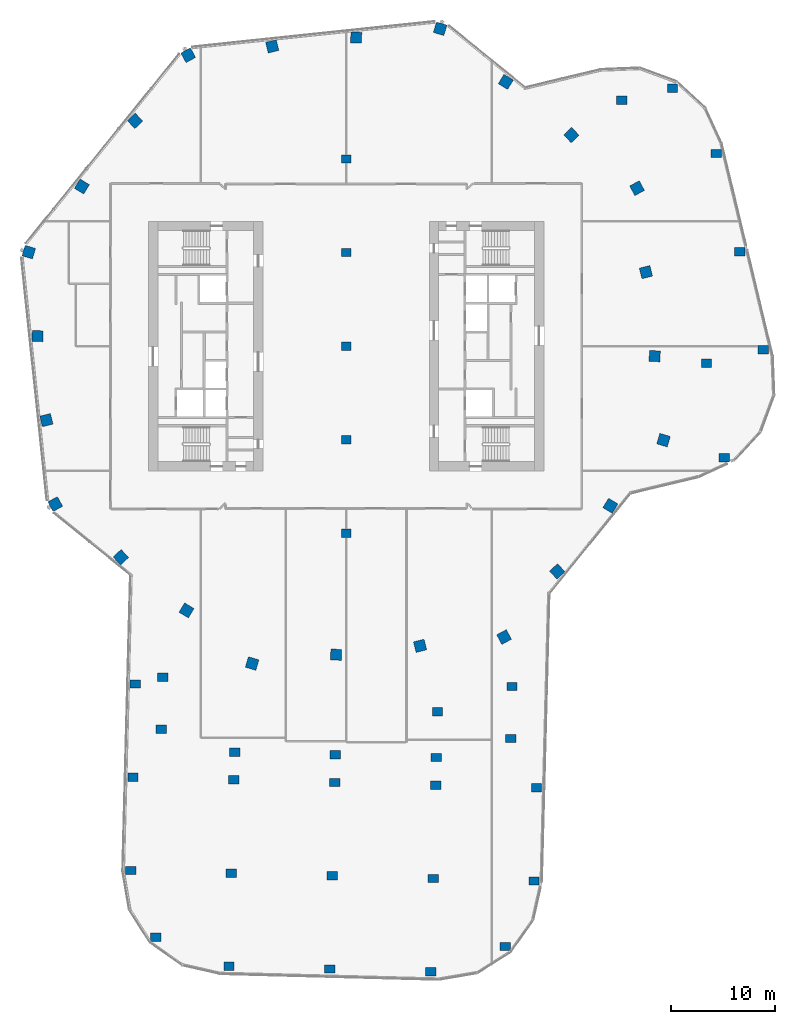
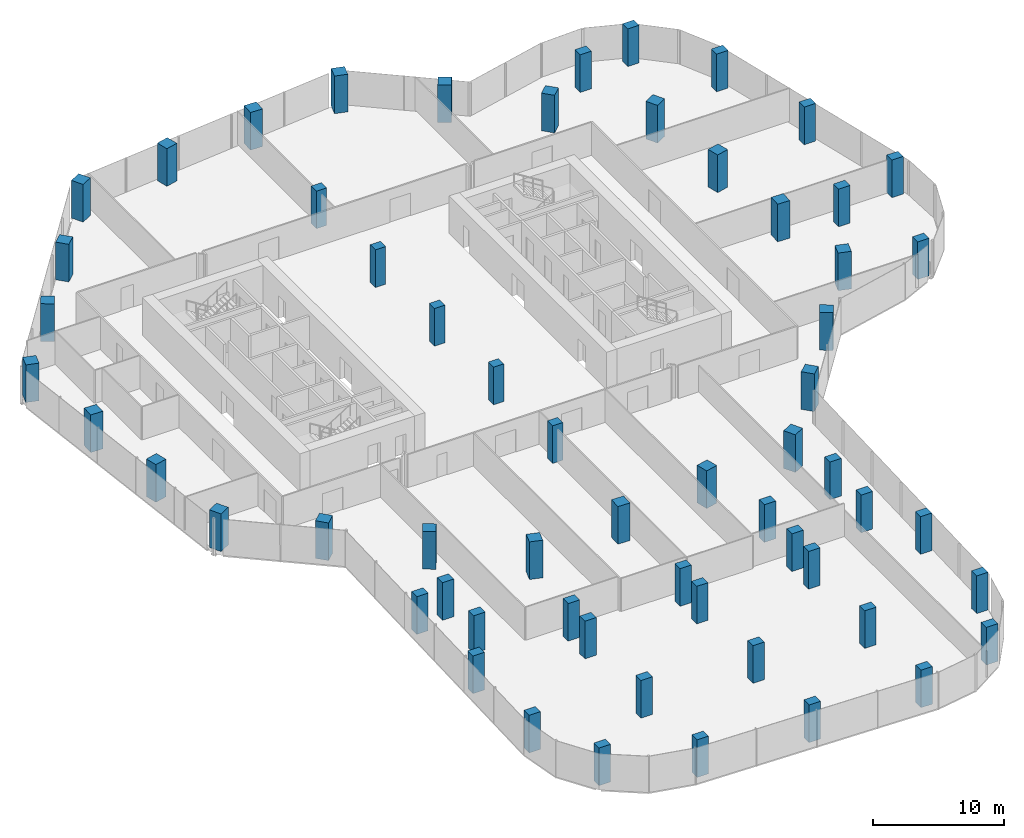
# One storey, part 1 of 26: 60 columns.
"""IFC4 building model written with IfcOpenShell, lengths in metres."""

from ifc_helpers import new_model, si_unit, direction, frame, origin, origin_2d, place, context, subcontext, project, spatial, rectangle, extrude, material, material_profile, profile_set, type_object, element, save


model = new_model("IFC4")

# Units and contexts
model_context = context("Model", 3, precision=1e-05, world=origin(), true_north=direction((0.0, 1.0)))
body_context = subcontext(model_context, "Body", "Model", "MODEL_VIEW")
ifc_project = project(units=[si_unit("LENGTHUNIT", "METRE"), si_unit("AREAUNIT", "SQUARE_METRE"), si_unit("VOLUMEUNIT", "CUBIC_METRE"), si_unit("PLANEANGLEUNIT", "RADIAN"), si_unit("MASSUNIT", "GRAM", prefix="KILO")], contexts=[model_context])

# Site, building, storey
site_placement = place(None, origin())
site = spatial("IfcSite", under=ifc_project, at=site_placement, CompositionType="ELEMENT")
building_placement = place(site_placement, origin())
building = spatial("IfcBuilding", under=site, at=building_placement, Name="Orlundy Tower", CompositionType="ELEMENT")
storey_placement = place(building_placement, frame((0.0, 0.0, 214.0)))
storey = spatial("IfcBuildingStorey", under=building, at=storey_placement, Name="L56", CompositionType="ELEMENT", Elevation=214.0)

# Columns
ifc_material_1 = material(Name="Concrete C60/75", Category="concrete")
ifc_material_profile_1 = material_profile(ifc_material_1, rectangle(XDim=1.0, YDim=0.800048828125, at=origin_2d()), Name="RC1000X800")
ifc_profile_set_1 = profile_set([ifc_material_profile_1], Name="Concrete C60/75")
column_type_1 = type_object("IfcColumnType", Name="RC COLUMN RC1000X800 C60/75", PredefinedType="COLUMN", material=ifc_profile_set_1)
for number, where, z_axis, x_axis, name in (
    (1, (36.35498046875, -10.743896484375, 0.0), (0.0, 0.0, 1.0), (1.0, 0.0, 0.0), "Column C-A1-1 L56"),
    (2, (40.090087890625, -0.35107421875, 0.0), (0.0, 0.0, 1.0), (1.0, 0.0, 0.0), "Column C-A2-5 L56"),
    (3, (34.64404296875, -1.657958984375, 0.0), (0.0, 0.0, 1.0), (1.0, 0.0, 0.0), "Column C-A2-6 L56"),
    (4, (37.824951171875, 9.0810546875, 0.0), (0.0, 0.0, 1.0), (1.0, 0.0, 0.0), "Column C-A3-5 L56"),
    (5, (35.56103515625, 18.512939453125, 0.0), (0.0, 0.0, 1.0), (1.0, 0.0, 0.0), "Column C-A4-5 L56"),
    (6, (31.3701171875, 24.802001953125, 0.0), (0.0, 0.0, 1.0), (1.0, 0.0, 0.0), "Column C-A5-5 L56"),
    (7, (26.508056640625, 23.635009765625, 0.0), (0.0, 0.0, 1.0), (1.0, 0.0, 0.0), "Column C-A5-6 L56"),
    (8, (-20.257080078125, -32.48095703125, 0.0), (0.0, 0.0, 1.0), (1.0, 0.0, 0.0), "Column C-B1-1 L56"),
    (9, (-20.491943359375, -41.444091796875, 0.0), (0.0, 0.0, 1.0), (1.0, 0.0, 0.0), "Column C-B1-2 L56"),
    (10, (-20.72705078125, -50.407958984375, 0.0), (0.0, 0.0, 1.0), (1.0, 0.0, 0.0), "Column C-B1-3 L56"),
    (11, (-18.287109375, -56.833984375, 0.0), (0.0, 0.0, 1.0), (1.0, 0.0, 0.0), "Column C-B1-5 L56"),
    (12, (-17.763916015625, -36.841064453125, 0.0), (0.0, 0.0, 1.0), (1.0, 0.0, 0.0), "Column C-B1-6 L56"),
    (13, (-17.633056640625, -31.843017578125, 0.0), (0.0, 0.0, 1.0), (1.0, 0.0, 0.0), "Column C-B1-7 L56"),
    (14, (-10.794921875, -41.697998046875, 0.0), (0.0, 0.0, 1.0), (1.0, 0.0, 0.0), "Column C-B2-2 L56"),
    (15, (-11.030029296875, -50.662109375, 0.0), (0.0, 0.0, 1.0), (1.0, 0.0, 0.0), "Column C-B2-3 L56"),
    (16, (-11.264892578125, -59.6259765625, 0.0), (0.0, 0.0, 1.0), (1.0, 0.0, 0.0), "Column C-B2-5 L56"),
    (17, (-10.72509765625, -39.032958984375, 0.0), (0.0, 0.0, 1.0), (1.0, 0.0, 0.0), "Column C-B2-6 L56"),
    (18, (-1.09912109375, -41.951904296875, 0.0), (0.0, 0.0, 1.0), (1.0, 0.0, 0.0), "Column C-B3-2 L56"),
    (19, (-1.3330078125, -50.916015625, 0.0), (0.0, 0.0, 1.0), (1.0, 0.0, 0.0), "Column C-B3-3 L56"),
    (20, (-1.568115234375, -59.87890625, 0.0), (0.0, 0.0, 1.0), (1.0, 0.0, 0.0), "Column C-B3-5 L56"),
    (21, (-1.029052734375, -39.287109375, 0.0), (0.0, 0.0, 1.0), (1.0, 0.0, 0.0), "Column C-B3-6 L56"),
    (22, (8.597900390625, -42.2060546875, 0.0), (0.0, 0.0, 1.0), (1.0, 0.0, 0.0), "Column C-B4-2 L56"),
    (23, (8.363037109375, -51.169921875, 0.0), (0.0, 0.0, 1.0), (1.0, 0.0, 0.0), "Column C-B4-3 L56"),
    (24, (8.12890625, -60.133056640625, 0.0), (0.0, 0.0, 1.0), (1.0, 0.0, 0.0), "Column C-B4-5 L56"),
    (25, (8.66796875, -39.5400390625, 0.0), (0.0, 0.0, 1.0), (1.0, 0.0, 0.0), "Column C-B4-6 L56"),
    (26, (8.782958984375, -35.14208984375, 0.0), (0.0, 0.0, 1.0), (1.0, 0.0, 0.0), "Column C-B4-7 L56"),
    (27, (18.294921875, -42.4599609375, 0.0), (0.0, 0.0, 1.0), (1.0, 0.0, 0.0), "Column C-B5-2 L56"),
    (28, (18.06005859375, -51.424072265625, 0.0), (0.0, 0.0, 1.0), (1.0, 0.0, 0.0), "Column C-B5-3 L56"),
    (29, (15.2880859375, -57.712890625, 0.0), (0.0, 0.0, 1.0), (1.0, 0.0, 0.0), "Column C-B5-5 L56"),
    (30, (15.81103515625, -37.719970703125, 0.0), (0.0, 0.0, 1.0), (1.0, 0.0, 0.0), "Column C-B5-6 L56"),
    (31, (15.94189453125, -32.721923828125, 0.0), (0.0, 0.0, 1.0), (1.0, 0.0, 0.0), "Column C-B5-7 L56"),
):
    element("IfcColumn", number, at=place(storey_placement, frame(where, z_axis=z_axis, x_axis=x_axis)), inside=storey, type_object=column_type_1, Name=name, PredefinedType="COLUMN", context=body_context, shape_type="SweptSolid", body=[
        extrude(rectangle(XDim=1.0, YDim=0.800048828125, at=origin_2d()), origin(), (0.0, 0.0, 1.0), 3.5),
    ])
ifc_material_2 = material(Name="Concrete C60/75", Category="concrete")
ifc_material_profile_2 = material_profile(ifc_material_2, rectangle(XDim=1.050048828125, YDim=1.050048828125, at=origin_2d()), Name="RC1050X1050")
ifc_profile_set_2 = profile_set([ifc_material_profile_2], Name="Concrete C60/75")
column_type_2 = type_object("IfcColumnType", Name="RC COLUMN RC1050X1050 C60/75", PredefinedType="COLUMN", material=ifc_profile_set_2)
for number, where, z_axis, x_axis, name in (
    (32, (9.0380859375, 30.511962890625, 0.0), (0.0, 0.0, 1.0), (0.284015344704, 0.958819734868, 0.0), "Column C-H01 L56"),
    (33, (15.346923828125, 25.403076171875, 0.0), (0.0, 0.0, 1.0), (0.517101113058, 0.855924318427, 0.0), "Column C-H02 L56"),
    (34, (21.656982421875, 20.29296875, 0.0), (0.0, 0.0, 1.0), (0.729708951739, 0.683757885331, 0.0), "Column C-H03 L56"),
    (35, (27.966064453125, 15.18408203125, 0.0), (0.0, 0.0, 1.0), (0.878817112662, 0.47715876026, 0.0), "Column C-H04 L56"),
    (36, (28.81494140625, 7.110107421875, 0.0), (0.0, 0.0, 1.0), (0.970879774729, 0.239567241127, 0.0), "Column C-H05 L56"),
    (37, (29.6630859375, -0.964111328125, 0.0), (0.0, 0.0, 1.0), (0.99947255242, -0.032474866578, 0.0), "Column C-H06 L56"),
    (38, (30.511962890625, -9.0380859375, 0.0), (0.0, 0.0, 1.0), (0.958819734868, -0.284015344704, 0.0), "Column C-H07 L56"),
    (39, (25.403076171875, -15.346923828125, 0.0), (0.0, 0.0, 1.0), (0.855924318427, -0.517101113058, 0.0), "Column C-H08 L56"),
    (40, (20.29296875, -21.656982421875, 0.0), (0.0, 0.0, 1.0), (0.683757885331, -0.729708951739, 0.0), "Column C-H09 L56"),
    (41, (15.18408203125, -27.966064453125, 0.0), (0.0, 0.0, 1.0), (0.47715876026, -0.878817112662, 0.0), "Column C-H10 L56"),
    (42, (7.110107421875, -28.81494140625, 0.0), (0.0, 0.0, 1.0), (0.239567241127, -0.970879774729, 0.0), "Column C-H11 L56"),
    (43, (-0.964111328125, -29.6630859375, 0.0), (0.0, 0.0, 1.0), (-0.032474866578, -0.99947255242, 0.0), "Column C-H12 L56"),
    (44, (-9.0380859375, -30.511962890625, 0.0), (0.0, 0.0, 1.0), (-0.284015344704, -0.958819734868, 0.0), "Column C-H13 L56"),
    (45, (-15.346923828125, -25.403076171875, 0.0), (0.0, 0.0, 1.0), (-0.517101113058, -0.855924318427, 0.0), "Column C-H14 L56"),
    (46, (-21.656982421875, -20.29296875, 0.0), (0.0, 0.0, 1.0), (-0.729708951739, -0.683757885331, 0.0), "Column C-H15 L56"),
    (47, (-27.966064453125, -15.18408203125, 0.0), (0.0, 0.0, 1.0), (-0.878817112662, -0.47715876026, 0.0), "Column C-H16 L56"),
    (48, (-28.81494140625, -7.110107421875, 0.0), (0.0, 0.0, 1.0), (-0.970879774729, -0.239567241127, 0.0), "Column C-H17 L56"),
    (49, (-29.6630859375, 0.964111328125, 0.0), (0.0, 0.0, 1.0), (-0.99947255242, 0.032474866578, 0.0), "Column C-H18 L56"),
    (50, (-30.511962890625, 9.0380859375, 0.0), (0.0, 0.0, 1.0), (-0.958819734868, 0.284015344704, 0.0), "Column C-H19 L56"),
    (51, (-25.403076171875, 15.346923828125, 0.0), (0.0, 0.0, 1.0), (-0.855924318427, 0.517101113058, 0.0), "Column C-H20 L56"),
    (52, (-20.29296875, 21.656982421875, 0.0), (0.0, 0.0, 1.0), (-0.683757885331, 0.729708951739, 0.0), "Column C-H21 L56"),
    (53, (-15.18408203125, 27.966064453125, 0.0), (0.0, 0.0, 1.0), (-0.47715876026, 0.878817112662, 0.0), "Column C-H22 L56"),
    (54, (-7.110107421875, 28.81494140625, 0.0), (0.0, 0.0, 1.0), (-0.239567241127, 0.970879774729, 0.0), "Column C-H23 L56"),
    (55, (0.964111328125, 29.6630859375, 0.0), (0.0, 0.0, 1.0), (0.032474866578, 0.99947255242, 0.0), "Column C-H24 L56"),
):
    element("IfcColumn", number, at=place(storey_placement, frame(where, z_axis=z_axis, x_axis=x_axis)), inside=storey, type_object=column_type_2, Name=name, PredefinedType="COLUMN", context=body_context, shape_type="SweptSolid", body=[
        extrude(rectangle(XDim=1.050048828125, YDim=1.050048828125, at=origin_2d()), origin(), (0.0, 0.0, 1.0), 3.5),
    ])
ifc_material_3 = material(Name="Concrete C60/75", Category="concrete")
ifc_material_profile_3 = material_profile(ifc_material_3, rectangle(XDim=0.89990234375, YDim=0.800048828125, at=origin_2d()), Name="RC900X800")
ifc_profile_set_3 = profile_set([ifc_material_profile_3], Name="Concrete C60/75")
column_type_3 = type_object("IfcColumnType", Name="RC COLUMN RC900X800 C60/75", PredefinedType="COLUMN", material=ifc_profile_set_3)
for number, where, z_axis, x_axis, name in (
    (56, (0.0, -18.0, 0.0), (0.0, 0.0, 1.0), (1.0, 0.0, 0.0), "Column C-M1 L56"),
    (57, (0.0, -9.0, 0.0), (0.0, 0.0, 1.0), (1.0, 0.0, 0.0), "Column C-M2 L56"),
    (58, (0.0, 0.0, 0.0), (0.0, 0.0, 1.0), (1.0, 0.0, 0.0), "Column C-M3 L56"),
    (59, (0.0, 9.0, 0.0), (0.0, 0.0, 1.0), (1.0, 0.0, 0.0), "Column C-M4 L56"),
    (60, (0.0, 18.0, 0.0), (0.0, 0.0, 1.0), (1.0, 0.0, 0.0), "Column C-M5 L56"),
):
    element("IfcColumn", number, at=place(storey_placement, frame(where, z_axis=z_axis, x_axis=x_axis)), inside=storey, type_object=column_type_3, Name=name, PredefinedType="COLUMN", context=body_context, shape_type="SweptSolid", body=[
        extrude(rectangle(XDim=0.89990234375, YDim=0.800048828125, at=origin_2d()), origin(), (0.0, 0.0, 1.0), 3.5),
    ])

save(model, "model.ifc")
